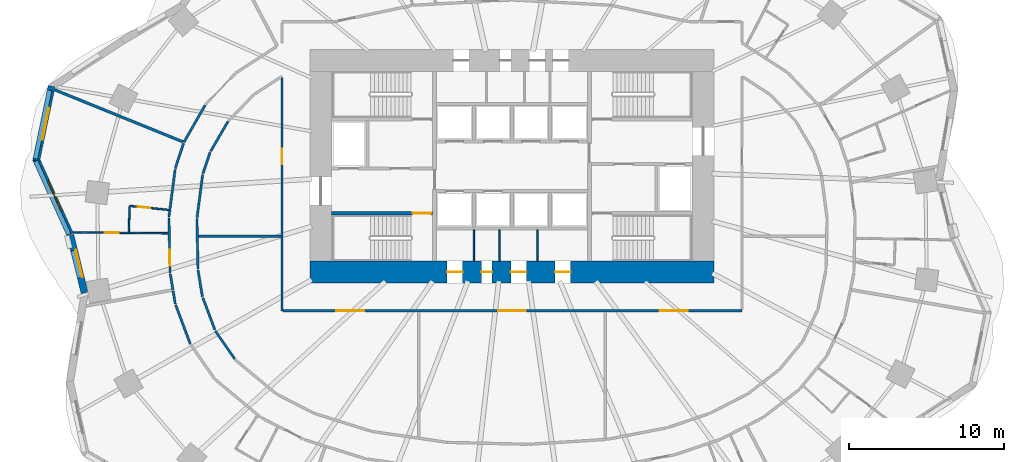
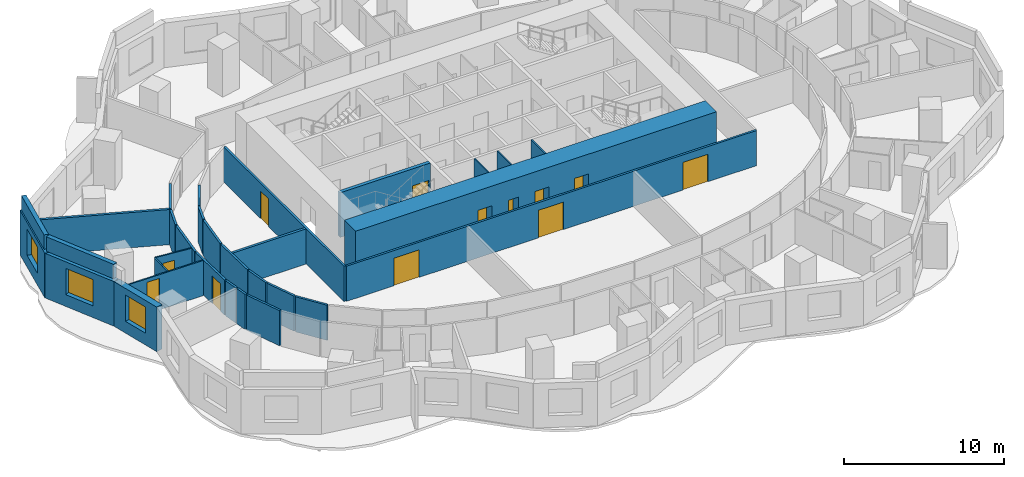
# One storey, part 4 of 11: 31 walls, 12 doors, 3 windows, 15 openings.
"""IFC4 building model written with IfcOpenShell, lengths in metres."""

from ifc_helpers import new_model, si_unit, direction, frame, frame_2d, origin, place, context, subcontext, project, spatial, rectangle, extrude, material, layer, layer_set, type_object, element, fill, save


model = new_model("IFC4")

# Units and contexts
model_context = context("Model", 3, precision=1e-05, world=origin(), true_north=direction((0.0, 1.0)))
body_context = subcontext(model_context, "Body", "Model", "MODEL_VIEW")
ifc_project = project(units=[si_unit("LENGTHUNIT", "METRE"), si_unit("AREAUNIT", "SQUARE_METRE"), si_unit("VOLUMEUNIT", "CUBIC_METRE"), si_unit("PLANEANGLEUNIT", "RADIAN"), si_unit("MASSUNIT", "GRAM", prefix="KILO")], contexts=[model_context])

# Site, building, storey
site_placement = place(None, origin())
site = spatial("IfcSite", under=ifc_project, at=site_placement, CompositionType="ELEMENT")
building_placement = place(site_placement, origin())
building = spatial("IfcBuilding", under=site, at=building_placement, Name="Rubra Terraces Tower", CompositionType="ELEMENT")
storey_placement = place(building_placement, frame((0.0, 0.0, 66.300048828125)))
storey = spatial("IfcBuildingStorey", under=building, at=storey_placement, Name="L14", CompositionType="ELEMENT", Elevation=66.300048828125)

# Walls
ifc_material_1 = material(Name="Twin plasterboard on staggered steel stud, acoustic mineral wool", Category="steel")
ifc_layer_1 = layer(ifc_material_1, 0.175048828125)
ifc_layer_set_1 = layer_set([ifc_layer_1], Name="Twin plasterboard on staggered steel stud, acoustic mineral wool")
wall_type_1 = type_object("IfcWallType", Name="ACOUSTIC PARTY WALL 175", PredefinedType="PARTITIONING", material=ifc_layer_set_1)
wall_1_placement = place(storey_placement, frame((-29.43359375, 9.420654296875, 0.0), z_axis=(0.0, 0.0, 1.0), x_axis=(0.92666211568, -0.375895362252, 0.0)))
element("IfcWall", 1, at=wall_1_placement, inside=storey, type_object=wall_type_1, Name="PARTITION", PredefinedType="PARTITIONING", context=body_context, shape_type="SweptSolid", body=[
    extrude(rectangle(XDim=8.90576171875, YDim=0.175048828125, at=frame_2d((4.452880859375, 0.0))), origin(), (0.0, 0.0, 1.0), 2.679931640625),
])
wall_2_placement = place(storey_placement, frame((-20.176025390625, 0.0, 0.0), z_axis=(0.0, 0.0, 1.0), x_axis=(1.0, 0.0, 0.0)))
element("IfcWall", 2, at=wall_2_placement, inside=storey, type_object=wall_type_1, Name="PARTITION", PredefinedType="PARTITIONING", context=body_context, shape_type="SweptSolid", body=[
    extrude(rectangle(XDim=5.301025390625, YDim=0.175048828125, at=frame_2d((2.650390625, 0.0))), origin(), (0.0, 0.0, 1.0), 2.679931640625),
])

# Wall, opening, window
ifc_material_2 = material(Name="Brick masonry red-brown", Category="masonry")
ifc_layer_2 = layer(ifc_material_2, 0.449951171875)
ifc_layer_set_2 = layer_set([ifc_layer_2], Name="Brick masonry red-brown")
wall_type_2 = type_object("IfcWallType", Name="Brick facade wall 450", PredefinedType="SOLIDWALL", material=ifc_layer_set_2)
wall_3_placement = place(storey_placement, frame((-29.62060546875, 9.650146484375, 0.0), z_axis=(0.0, 0.0, 1.0), x_axis=(-0.203505836306, -0.979073732969, 0.0)))
wall_3 = element("IfcWall", 3, at=wall_3_placement, inside=storey, type_object=wall_type_2, Name="Facade wall L14 bay 19", PredefinedType="SOLIDWALL", context=body_context, shape_type="SweptSolid", body=[
    extrude(rectangle(XDim=4.913818359375, YDim=0.449951171875, at=frame_2d((2.45703125, 0.0))), origin(), (0.0, 0.0, 1.0), 3.39990234375),
])
opening_1_placement = place(wall_3_placement, frame((1.406982421875, 0.0, 0.89990234375)))
opening_1 = element("IfcOpeningElement", 4, at=opening_1_placement, cuts=wall_3, Name="Opening W1", PredefinedType="OPENING", context=body_context, shape_type="SweptSolid", body=[
    extrude(rectangle(XDim=2.10009765625, YDim=2.0, at=frame_2d((1.050048828125, 1.0))), frame((0.0, 0.23486328125, 0.0), z_axis=(0.0, -1.0, 0.0), x_axis=(1.0, 0.0, 0.0)), (0.0, 0.0, 1.0), 0.469970703125),
])
ifc_material_3 = material(Name="Clear glass in aluminium frame", Category="aluminium")
window_type_1 = type_object("IfcWindowType", Name="Fixed deep-set window 2100 x 2000", PartitioningType="SINGLE_PANEL", PredefinedType="WINDOW", material=ifc_material_3)
window_1_placement = place(opening_1_placement, origin())
window_1 = element("IfcWindow", 5, at=window_1_placement, inside=storey, type_object=window_type_1, Name="Window L14 bay 19", OverallHeight=2.0, OverallWidth=2.10009765625, PartitioningType="SINGLE_PANEL", PredefinedType="WINDOW", context=body_context, shape_type="SweptSolid", body=[
    extrude(rectangle(XDim=2.10009765625, YDim=2.0, at=frame_2d((1.050048828125, 1.0))), frame((0.0, 0.135009765625, 0.0), z_axis=(0.0, -1.0, 0.0), x_axis=(1.0, 0.0, 0.0)), (0.0, 0.0, 1.0), 0.06005859375),
])
fill(opening_1, window_1)

wall_4_placement = place(storey_placement, frame((-30.633544921875, 4.972412109375, 0.0), z_axis=(0.0, 0.0, 1.0), x_axis=(0.412494644758, -0.910960025493, 0.0)))
wall_4 = element("IfcWall", 6, at=wall_4_placement, inside=storey, type_object=wall_type_2, Name="Facade wall L14 bay 20", PredefinedType="SOLIDWALL", context=body_context, shape_type="SweptSolid", body=[
    extrude(rectangle(XDim=5.330322265625, YDim=0.449951171875, at=frame_2d((2.6650390625, 0.0))), origin(), (0.0, 0.0, 1.0), 3.39990234375),
])
opening_2_placement = place(wall_4_placement, frame((1.615234375, 0.0, 0.89990234375)))
opening_2 = element("IfcOpeningElement", 7, at=opening_2_placement, cuts=wall_4, Name="Opening W1", PredefinedType="OPENING", context=body_context, shape_type="SweptSolid", body=[
    extrude(rectangle(XDim=2.10009765625, YDim=2.0, at=frame_2d((1.050048828125, 1.0))), frame((0.0, 0.23486328125, 0.0), z_axis=(0.0, -1.0, 0.0), x_axis=(1.0, 0.0, 0.0)), (0.0, 0.0, 1.0), 0.469970703125),
])
window_2_placement = place(opening_2_placement, origin())
window_2 = element("IfcWindow", 8, at=window_2_placement, inside=storey, type_object=window_type_1, Name="Window L14 bay 20", OverallHeight=2.0, OverallWidth=2.10009765625, PartitioningType="SINGLE_PANEL", PredefinedType="WINDOW", context=body_context, shape_type="SweptSolid", body=[
    extrude(rectangle(XDim=2.10009765625, YDim=2.0, at=frame_2d((1.050048828125, 1.0))), frame((0.0, 0.135009765625, 0.0), z_axis=(0.0, -1.0, 0.0), x_axis=(1.0, 0.0, 0.0)), (0.0, 0.0, 1.0), 0.06005859375),
])
fill(opening_2, window_2)

wall_5_placement = place(storey_placement, frame((-28.421875, 0.074951171875, 0.0), z_axis=(0.0, 0.0, 1.0), x_axis=(0.239809222807, -0.970820033094, 0.0)))
wall_5 = element("IfcWall", 9, at=wall_5_placement, inside=storey, type_object=wall_type_2, Name="Facade wall L14 bay 21", PredefinedType="SOLIDWALL", context=body_context, shape_type="SweptSolid", body=[
    extrude(rectangle(XDim=3.8359375, YDim=0.449951171875, at=frame_2d((1.91796875, 0.0))), origin(), (0.0, 0.0, 1.0), 3.39990234375),
])
opening_3_placement = place(wall_5_placement, frame((1.01806640625, 0.0, 0.89990234375)))
opening_3 = element("IfcOpeningElement", 10, at=opening_3_placement, cuts=wall_5, Name="Opening W6", PredefinedType="OPENING", context=body_context, shape_type="SweptSolid", body=[
    extrude(rectangle(XDim=1.800048828125, YDim=2.0, at=frame_2d((0.89990234375, 1.0))), frame((0.0, 0.23486328125, 0.0), z_axis=(0.0, -1.0, 0.0), x_axis=(1.0, 0.0, 0.0)), (0.0, 0.0, 1.0), 0.469970703125),
])
window_type_2 = type_object("IfcWindowType", Name="Fixed deep-set window at wind fin 1800 x 2000", PartitioningType="SINGLE_PANEL", PredefinedType="WINDOW", material=ifc_material_3)
window_3_placement = place(opening_3_placement, origin())
window_3 = element("IfcWindow", 11, at=window_3_placement, inside=storey, type_object=window_type_2, Name="Window L14 bay 21", OverallHeight=2.0, OverallWidth=1.800048828125, PartitioningType="SINGLE_PANEL", PredefinedType="WINDOW", context=body_context, shape_type="SweptSolid", body=[
    extrude(rectangle(XDim=1.800048828125, YDim=2.0, at=frame_2d((0.89990234375, 1.0))), frame((0.0, 0.135009765625, 0.0), z_axis=(0.0, -1.0, 0.0), x_axis=(1.0, 0.0, 0.0)), (0.0, 0.0, 1.0), 0.06005859375),
])
fill(opening_3, window_3)

# Walls
ifc_layer_3 = layer(ifc_material_2, 0.300048828125)
ifc_layer_set_3 = layer_set([ifc_layer_3], Name="Brick masonry red-brown")
wall_type_3 = type_object("IfcWallType", Name="Brick parapet 300", PredefinedType="PARAPET", material=ifc_layer_set_3)
wall_6_placement = place(storey_placement, frame((-29.75146484375, 9.389892578125, 3.599853515625), z_axis=(0.0, 0.0, 1.0), x_axis=(-0.203510555438, -0.97907275206, 0.0)))
element("IfcWall", 12, at=wall_6_placement, inside=storey, type_object=wall_type_3, Name="Parapet L14 bay 19", PredefinedType="PARAPET", context=body_context, shape_type="SweptSolid", body=[
    extrude(rectangle(XDim=4.504638671875, YDim=0.300048828125, at=frame_2d((2.25244140625, 0.0))), origin(), (0.0, 0.0, 1.0), 1.10009765625),
])
wall_7_placement = place(storey_placement, frame((-30.651611328125, 4.830322265625, 3.599853515625), z_axis=(0.0, 0.0, 1.0), x_axis=(0.412522333553, -0.910947487136, 0.0)))
element("IfcWall", 13, at=wall_7_placement, inside=storey, type_object=wall_type_3, Name="Parapet L14 bay 20", PredefinedType="PARAPET", context=body_context, shape_type="SweptSolid", body=[
    extrude(rectangle(XDim=5.172607421875, YDim=0.300048828125, at=frame_2d((2.58642578125, 0.0))), origin(), (0.0, 0.0, 1.0), 1.10009765625),
])

# Wall, openings, doors
ifc_material_4 = material(Name="Concrete C70", Category="concrete")
ifc_layer_4 = layer(ifc_material_4, 1.39990234375)
ifc_layer_set_4 = layer_set([ifc_layer_4], Name="Concrete C70")
wall_type_4 = type_object("IfcWallType", Name="CORE WALL 1400 C70", PredefinedType="SHEAR", material=ifc_layer_set_4)
wall_8_placement = place(storey_placement, frame((-13.0, -2.300048828125, 0.0), z_axis=(0.0, 0.0, 1.0), x_axis=(1.0, 0.0, 0.0)))
wall_8 = element("IfcWall", 14, at=wall_8_placement, inside=storey, type_object=wall_type_4, Name="CORE WALL S L14", PredefinedType="SHEAR", context=body_context, shape_type="SweptSolid", body=[
    extrude(rectangle(XDim=26.0, YDim=1.39990234375, at=frame_2d((13.0, 0.0))), origin(), (0.0, 0.0, 1.0), 3.599853515625),
])
opening_4_placement = place(wall_8_placement, frame((8.824951171875, 0.0, 0.0)))
opening_4 = element("IfcOpeningElement", 15, at=opening_4_placement, cuts=wall_8, Name="Opening L14.C19", PredefinedType="OPENING", context=body_context, shape_type="SweptSolid", body=[
    extrude(rectangle(XDim=1.0, YDim=2.10009765625, at=frame_2d((0.5, 1.050048828125))), frame((0.0, 0.7099609375, 0.0), z_axis=(0.0, -1.0, 0.0), x_axis=(1.0, 0.0, 0.0)), (0.0, 0.0, 1.0), 1.419921875),
])
opening_5_placement = place(wall_8_placement, frame((11.02490234375, 0.0, 0.0)))
opening_5 = element("IfcOpeningElement", 16, at=opening_5_placement, cuts=wall_8, Name="Opening L14.C20", PredefinedType="OPENING", context=body_context, shape_type="SweptSolid", body=[
    extrude(rectangle(XDim=0.699951171875, YDim=2.10009765625, at=frame_2d((0.35009765625, 1.050048828125))), frame((0.0, 0.7099609375, 0.0), z_axis=(0.0, -1.0, 0.0), x_axis=(1.0, 0.0, 0.0)), (0.0, 0.0, 1.0), 1.419921875),
])
opening_6_placement = place(wall_8_placement, frame((12.925048828125, 0.0, 0.0)))
opening_6 = element("IfcOpeningElement", 17, at=opening_6_placement, cuts=wall_8, Name="Opening L14.C21", PredefinedType="OPENING", context=body_context, shape_type="SweptSolid", body=[
    extrude(rectangle(XDim=1.0, YDim=2.10009765625, at=frame_2d((0.5, 1.050048828125))), frame((0.0, 0.7099609375, 0.0), z_axis=(0.0, -1.0, 0.0), x_axis=(1.0, 0.0, 0.0)), (0.0, 0.0, 1.0), 1.419921875),
])
opening_7_placement = place(wall_8_placement, frame((15.77490234375, 0.0, 0.0)))
opening_7 = element("IfcOpeningElement", 18, at=opening_7_placement, cuts=wall_8, Name="Opening L14.C22", PredefinedType="OPENING", context=body_context, shape_type="SweptSolid", body=[
    extrude(rectangle(XDim=1.0, YDim=2.10009765625, at=frame_2d((0.5, 1.050048828125))), frame((0.0, 0.7099609375, 0.0), z_axis=(0.0, -1.0, 0.0), x_axis=(1.0, 0.0, 0.0)), (0.0, 0.0, 1.0), 1.419921875),
])
ifc_material_5 = material(Name="Painted steel", Category="steel")
door_type_1 = type_object("IfcDoorType", Name="Fire door 1000x2100 single", OperationType="NOTDEFINED", PredefinedType="DOOR", material=ifc_material_5)
door_1_placement = place(opening_4_placement, origin())
door_1 = element("IfcDoor", 19, at=door_1_placement, inside=storey, type_object=door_type_1, Name="Ice and vending room door", OperationType="SINGLE_SWING_LEFT", OverallHeight=2.10009765625, OverallWidth=1.0, PredefinedType="DOOR", context=body_context, shape_type="SweptSolid", body=[
    extrude(rectangle(XDim=1.0, YDim=2.10009765625, at=frame_2d((0.5, 1.050048828125))), frame((0.0, 0.02490234375, 0.0), z_axis=(0.0, -1.0, 0.0), x_axis=(1.0, 0.0, 0.0)), (0.0, 0.0, 1.0), 0.050048828125),
])
fill(opening_4, door_1)
door_2_placement = place(opening_6_placement, origin())
door_2 = element("IfcDoor", 20, at=door_2_placement, inside=storey, type_object=door_type_1, Name="Linen store door", OperationType="SINGLE_SWING_LEFT", OverallHeight=2.10009765625, OverallWidth=1.0, PredefinedType="DOOR", context=body_context, shape_type="SweptSolid", body=[
    extrude(rectangle(XDim=1.0, YDim=2.10009765625, at=frame_2d((0.5, 1.050048828125))), frame((0.0, 0.02490234375, 0.0), z_axis=(0.0, -1.0, 0.0), x_axis=(1.0, 0.0, 0.0)), (0.0, 0.0, 1.0), 0.050048828125),
])
fill(opening_6, door_2)
door_3_placement = place(opening_7_placement, origin())
door_3 = element("IfcDoor", 21, at=door_3_placement, inside=storey, type_object=door_type_1, Name="Housekeeping store door", OperationType="SINGLE_SWING_RIGHT", OverallHeight=2.10009765625, OverallWidth=1.0, PredefinedType="DOOR", context=body_context, shape_type="SweptSolid", body=[
    extrude(rectangle(XDim=1.0, YDim=2.10009765625, at=frame_2d((0.5, 1.050048828125))), frame((0.0, 0.02490234375, 0.0), z_axis=(0.0, -1.0, 0.0), x_axis=(1.0, 0.0, 0.0)), (0.0, 0.0, 1.0), 0.050048828125),
])
fill(opening_7, door_3)
door_type_2 = type_object("IfcDoorType", Name="Riser access door 700x2100 single", OperationType="NOTDEFINED", PredefinedType="DOOR", material=ifc_material_5)
door_4_placement = place(opening_5_placement, origin())
door_4 = element("IfcDoor", 22, at=door_4_placement, inside=storey, type_object=door_type_2, Name="Electrical riser room door", OperationType="SINGLE_SWING_RIGHT", OverallHeight=2.10009765625, OverallWidth=0.699951171875, PredefinedType="DOOR", context=body_context, shape_type="SweptSolid", body=[
    extrude(rectangle(XDim=0.699951171875, YDim=2.10009765625, at=frame_2d((0.35009765625, 1.050048828125))), frame((0.0, 0.02490234375, 0.0), z_axis=(0.0, -1.0, 0.0), x_axis=(1.0, 0.0, 0.0)), (0.0, 0.0, 1.0), 0.050048828125),
])
fill(opening_5, door_4)

# Walls
ifc_material_6 = material(Name="Plasterboard on steel stud, mineral wool infill", Category="steel")
ifc_layer_5 = layer(ifc_material_6, 0.14990234375)
ifc_layer_set_5 = layer_set([ifc_layer_5], Name="Plasterboard on steel stud, mineral wool infill")
wall_type_5 = type_object("IfcWallType", Name="CORRIDOR PARTITION 150", PredefinedType="PARTITIONING", material=ifc_layer_set_5)
wall_9_placement = place(storey_placement, frame((-19.752197265625, 8.4228515625, 0.0), z_axis=(0.0, 0.0, 1.0), x_axis=(-0.496186930697, -0.86821571617, 0.0)))
element("IfcWall", 23, at=wall_9_placement, inside=storey, type_object=wall_type_5, Name="PARTITION", PredefinedType="PARTITIONING", context=body_context, shape_type="SweptSolid", body=[
    extrude(rectangle(XDim=2.7392578125, YDim=0.14990234375, at=frame_2d((1.36962890625, 0.0))), origin(), (0.0, 0.0, 1.0), 2.679931640625),
])
wall_10_placement = place(storey_placement, frame((-21.135009765625, 5.973388671875, 0.0), z_axis=(0.0, 0.0, 1.0), x_axis=(-0.313641633586, -0.949541429155, 0.0)))
element("IfcWall", 24, at=wall_10_placement, inside=storey, type_object=wall_type_5, Name="PARTITION", PredefinedType="PARTITIONING", context=body_context, shape_type="SweptSolid", body=[
    extrude(rectangle(XDim=1.699951171875, YDim=0.14990234375, at=frame_2d((0.85009765625, 0.0))), origin(), (0.0, 0.0, 1.0), 2.679931640625),
])
wall_11_placement = place(storey_placement, frame((-21.677978515625, 4.28466796875, 0.0), z_axis=(0.0, 0.0, 1.0), x_axis=(-0.129922755307, -0.991524118543, 0.0)))
element("IfcWall", 25, at=wall_11_placement, inside=storey, type_object=wall_type_5, Name="PARTITION", PredefinedType="PARTITIONING", context=body_context, shape_type="SweptSolid", body=[
    extrude(rectangle(XDim=3.076171875, YDim=0.14990234375, at=frame_2d((1.5380859375, 0.0))), origin(), (0.0, 0.0, 1.0), 2.679931640625),
])

# Wall, opening, door
wall_12_placement = place(storey_placement, frame((-22.075927734375, 1.15966796875, 0.0), z_axis=(0.0, 0.0, 1.0), x_axis=(0.021172866829, -0.999775829729, 0.0)))
wall_12 = element("IfcWall", 26, at=wall_12_placement, inside=storey, type_object=wall_type_5, Name="PARTITION", PredefinedType="PARTITIONING", context=body_context, shape_type="SweptSolid", body=[
    extrude(rectangle(XDim=3.516845703125, YDim=0.14990234375, at=frame_2d((1.75830078125, 0.0))), origin(), (0.0, 0.0, 1.0), 2.679931640625),
])
opening_8_placement = place(wall_12_placement, frame((2.050048828125, 0.0, 0.0)))
opening_8 = element("IfcOpeningElement", 27, at=opening_8_placement, cuts=wall_12, Name="Opening 14-113", PredefinedType="OPENING", context=body_context, shape_type="SweptSolid", body=[
    extrude(rectangle(XDim=1.0, YDim=2.10009765625, at=frame_2d((0.5, 1.050048828125))), frame((0.0, 0.0849609375, 0.0), z_axis=(0.0, -1.0, 0.0), x_axis=(1.0, 0.0, 0.0)), (0.0, 0.0, 1.0), 0.169921875),
])
ifc_material_7 = material(Name="Painted timber door leaf", Category="wood")
door_type_3 = type_object("IfcDoorType", Name="ROOM DOOR 1000 X 2100", OperationType="SINGLE_SWING_LEFT", PredefinedType="DOOR", material=ifc_material_7)
door_5_placement = place(opening_8_placement, origin())
door_5 = element("IfcDoor", 28, at=door_5_placement, inside=storey, type_object=door_type_3, Name="DOOR 14-113", OperationType="SINGLE_SWING_RIGHT", OverallHeight=2.10009765625, OverallWidth=1.0, PredefinedType="DOOR", context=body_context, shape_type="SweptSolid", body=[
    extrude(rectangle(XDim=1.0, YDim=2.10009765625, at=frame_2d((0.5, 1.050048828125))), frame((0.0, 0.02490234375, 0.0), z_axis=(0.0, -1.0, 0.0), x_axis=(1.0, 0.0, 0.0)), (0.0, 0.0, 1.0), 0.050048828125),
])
fill(opening_8, door_5)

# Walls
wall_13_placement = place(storey_placement, frame((-21.9892578125, -2.430419921875, 0.0), z_axis=(0.0, 0.0, 1.0), x_axis=(0.164170791844, -0.986431929281, 0.0)))
element("IfcWall", 29, at=wall_13_placement, inside=storey, type_object=wall_type_5, Name="PARTITION", PredefinedType="PARTITIONING", context=body_context, shape_type="SweptSolid", body=[
    extrude(rectangle(XDim=1.041015625, YDim=0.14990234375, at=frame_2d((0.5205078125, 0.0))), origin(), (0.0, 0.0, 1.0), 2.679931640625),
])
wall_14_placement = place(storey_placement, frame((-21.805908203125, -3.53125, 0.0), z_axis=(0.0, 0.0, 1.0), x_axis=(0.164068764938, -0.986448904086, 0.0)))
element("IfcWall", 30, at=wall_14_placement, inside=storey, type_object=wall_type_5, Name="PARTITION", PredefinedType="PARTITIONING", context=body_context, shape_type="SweptSolid", body=[
    extrude(rectangle(XDim=0.83935546875, YDim=0.14990234375, at=frame_2d((0.419677734375, 0.0))), origin(), (0.0, 0.0, 1.0), 2.679931640625),
])
wall_15_placement = place(storey_placement, frame((-21.641845703125, -4.42919921875, 0.0), z_axis=(0.0, 0.0, 1.0), x_axis=(0.350963719781, -0.936389057709, 0.0)))
element("IfcWall", 31, at=wall_15_placement, inside=storey, type_object=wall_type_5, Name="PARTITION", PredefinedType="PARTITIONING", context=body_context, shape_type="SweptSolid", body=[
    extrude(rectangle(XDim=2.68017578125, YDim=0.14990234375, at=frame_2d((1.340087890625, 0.0))), origin(), (0.0, 0.0, 1.0), 2.679931640625),
])
wall_16_placement = place(storey_placement, frame((-19.92138671875, -3.89111328125, 0.0), z_axis=(0.0, 0.0, 1.0), x_axis=(-0.164100753818, 0.986443583078, 0.0)))
element("IfcWall", 32, at=wall_16_placement, inside=storey, type_object=wall_type_5, Name="PARTITION", PredefinedType="PARTITIONING", context=body_context, shape_type="SweptSolid", body=[
    extrude(rectangle(XDim=1.725830078125, YDim=0.14990234375, at=frame_2d((0.86279296875, 0.0))), origin(), (0.0, 0.0, 1.0), 2.679931640625),
])
wall_17_placement = place(storey_placement, frame((-20.206298828125, -2.11376953125, 0.0), z_axis=(0.0, 0.0, 1.0), x_axis=(-0.021179142616, 0.999775696803, 0.0)))
element("IfcWall", 33, at=wall_17_placement, inside=storey, type_object=wall_type_5, Name="PARTITION", PredefinedType="PARTITIONING", context=body_context, shape_type="SweptSolid", body=[
    extrude(rectangle(XDim=3.250732421875, YDim=0.14990234375, at=frame_2d((1.62548828125, 0.0))), origin(), (0.0, 0.0, 1.0), 2.679931640625),
])
wall_18_placement = place(storey_placement, frame((-20.265380859375, 1.210693359375, 0.0), z_axis=(0.0, 0.0, 1.0), x_axis=(0.129957307165, 0.991519590484, 0.0)))
element("IfcWall", 34, at=wall_18_placement, inside=storey, type_object=wall_type_5, Name="PARTITION", PredefinedType="PARTITIONING", context=body_context, shape_type="SweptSolid", body=[
    extrude(rectangle(XDim=2.76904296875, YDim=0.14990234375, at=frame_2d((1.384521484375, 0.0))), origin(), (0.0, 0.0, 1.0), 2.679931640625),
])
wall_19_placement = place(storey_placement, frame((-19.882080078125, 4.027587890625, 0.0), z_axis=(0.0, 0.0, 1.0), x_axis=(0.313632756375, 0.949544361327, 0.0)))
element("IfcWall", 35, at=wall_19_placement, inside=storey, type_object=wall_type_5, Name="PARTITION", PredefinedType="PARTITIONING", context=body_context, shape_type="SweptSolid", body=[
    extrude(rectangle(XDim=1.440185546875, YDim=0.14990234375, at=frame_2d((0.72021484375, 0.0))), origin(), (0.0, 0.0, 1.0), 2.679931640625),
])
wall_20_placement = place(storey_placement, frame((-19.392578125, 5.459716796875, 0.0), z_axis=(0.0, 0.0, 1.0), x_axis=(0.502296094562, 0.864695688314, 0.0)))
element("IfcWall", 36, at=wall_20_placement, inside=storey, type_object=wall_type_5, Name="PARTITION", PredefinedType="PARTITIONING", context=body_context, shape_type="SweptSolid", body=[
    extrude(rectangle(XDim=2.2373046875, YDim=0.14990234375, at=frame_2d((1.11865234375, 0.0))), origin(), (0.0, 0.0, 1.0), 2.679931640625),
])

# Wall, opening, door
wall_21_placement = place(storey_placement, frame((-14.800048828125, 10.2080078125, 0.0), z_axis=(0.0, 0.0, 1.0), x_axis=(0.0, -1.0, 0.0)))
wall_21 = element("IfcWall", 37, at=wall_21_placement, inside=storey, type_object=wall_type_5, Name="PARTITION", PredefinedType="PARTITIONING", context=body_context, shape_type="SweptSolid", body=[
    extrude(rectangle(XDim=15.008056640625, YDim=0.14990234375, at=frame_2d((7.50390625, 0.0))), origin(), (0.0, 0.0, 1.0), 2.679931640625),
])
opening_9_placement = place(wall_21_placement, frame((4.56689453125, 0.0, 0.0)))
opening_9 = element("IfcOpeningElement", 38, at=opening_9_placement, cuts=wall_21, Name="Opening 14-134", PredefinedType="OPENING", context=body_context, shape_type="SweptSolid", body=[
    extrude(rectangle(XDim=1.0, YDim=2.10009765625, at=frame_2d((0.5, 1.050048828125))), frame((0.0, 0.0849609375, 0.0), z_axis=(0.0, -1.0, 0.0), x_axis=(1.0, 0.0, 0.0)), (0.0, 0.0, 1.0), 0.169921875),
])
door_6_placement = place(opening_9_placement, origin())
door_6 = element("IfcDoor", 39, at=door_6_placement, inside=storey, type_object=door_type_3, Name="DOOR 14-134", OperationType="SINGLE_SWING_RIGHT", OverallHeight=2.10009765625, OverallWidth=1.0, PredefinedType="DOOR", context=body_context, shape_type="SweptSolid", body=[
    extrude(rectangle(XDim=1.0, YDim=2.10009765625, at=frame_2d((0.5, 1.050048828125))), frame((0.0, 0.02490234375, 0.0), z_axis=(0.0, -1.0, 0.0), x_axis=(1.0, 0.0, 0.0)), (0.0, 0.0, 1.0), 0.050048828125),
])
fill(opening_9, door_6)

# Wall, openings, doors
wall_22_placement = place(storey_placement, frame((-14.72509765625, -4.800048828125, 0.0), z_axis=(0.0, 0.0, 1.0), x_axis=(1.0, 0.0, 0.0)))
wall_22 = element("IfcWall", 40, at=wall_22_placement, inside=storey, type_object=wall_type_5, Name="PARTITION", PredefinedType="PARTITIONING", context=body_context, shape_type="SweptSolid", body=[
    extrude(rectangle(XDim=29.525146484375, YDim=0.14990234375, at=frame_2d((14.7626953125, 0.0))), origin(), (0.0, 0.0, 1.0), 2.679931640625),
])
opening_10_placement = place(wall_22_placement, frame((3.425048828125, 0.0, 0.0)))
opening_10 = element("IfcOpeningElement", 41, at=opening_10_placement, cuts=wall_22, Name="Opening 14-135", PredefinedType="OPENING", context=body_context, shape_type="SweptSolid", body=[
    extrude(rectangle(XDim=1.800048828125, YDim=2.10009765625, at=frame_2d((0.89990234375, 1.050048828125))), frame((0.0, 0.0849609375, 0.0), z_axis=(0.0, -1.0, 0.0), x_axis=(1.0, 0.0, 0.0)), (0.0, 0.0, 1.0), 0.169921875),
])
opening_11_placement = place(wall_22_placement, frame((13.824951171875, 0.0, 0.0)))
opening_11 = element("IfcOpeningElement", 42, at=opening_11_placement, cuts=wall_22, Name="Opening 14-136", PredefinedType="OPENING", context=body_context, shape_type="SweptSolid", body=[
    extrude(rectangle(XDim=1.800048828125, YDim=2.10009765625, at=frame_2d((0.89990234375, 1.050048828125))), frame((0.0, 0.0849609375, 0.0), z_axis=(0.0, -1.0, 0.0), x_axis=(1.0, 0.0, 0.0)), (0.0, 0.0, 1.0), 0.169921875),
])
opening_12_placement = place(wall_22_placement, frame((24.22509765625, 0.0, 0.0)))
opening_12 = element("IfcOpeningElement", 43, at=opening_12_placement, cuts=wall_22, Name="Opening 14-137", PredefinedType="OPENING", context=body_context, shape_type="SweptSolid", body=[
    extrude(rectangle(XDim=1.800048828125, YDim=2.10009765625, at=frame_2d((0.89990234375, 1.050048828125))), frame((0.0, 0.0849609375, 0.0), z_axis=(0.0, -1.0, 0.0), x_axis=(1.0, 0.0, 0.0)), (0.0, 0.0, 1.0), 0.169921875),
])
ifc_material_8 = material(Name="Painted timber door leaf, double", Category="wood")
door_type_4 = type_object("IfcDoorType", Name="ROOM DOUBLE DOOR 1800 X 2100", OperationType="DOUBLE_DOOR_SINGLE_SWING", PredefinedType="DOOR", material=ifc_material_8)
door_7_placement = place(opening_10_placement, origin())
door_7 = element("IfcDoor", 44, at=door_7_placement, inside=storey, type_object=door_type_4, Name="DOOR 14-135", OperationType="DOUBLE_DOOR_SINGLE_SWING", OverallHeight=2.10009765625, OverallWidth=1.800048828125, PredefinedType="DOOR", context=body_context, shape_type="SweptSolid", body=[
    extrude(rectangle(XDim=1.800048828125, YDim=2.10009765625, at=frame_2d((0.89990234375, 1.050048828125))), frame((0.0, 0.02490234375, 0.0), z_axis=(0.0, -1.0, 0.0), x_axis=(1.0, 0.0, 0.0)), (0.0, 0.0, 1.0), 0.050048828125),
])
fill(opening_10, door_7)
door_8_placement = place(opening_11_placement, origin())
door_8 = element("IfcDoor", 45, at=door_8_placement, inside=storey, type_object=door_type_4, Name="DOOR 14-136", OperationType="DOUBLE_DOOR_SINGLE_SWING", OverallHeight=2.10009765625, OverallWidth=1.800048828125, PredefinedType="DOOR", context=body_context, shape_type="SweptSolid", body=[
    extrude(rectangle(XDim=1.800048828125, YDim=2.10009765625, at=frame_2d((0.89990234375, 1.050048828125))), frame((0.0, 0.02490234375, 0.0), z_axis=(0.0, -1.0, 0.0), x_axis=(1.0, 0.0, 0.0)), (0.0, 0.0, 1.0), 0.050048828125),
])
fill(opening_11, door_8)
door_9_placement = place(opening_12_placement, origin())
door_9 = element("IfcDoor", 46, at=door_9_placement, inside=storey, type_object=door_type_4, Name="DOOR 14-137", OperationType="DOUBLE_DOOR_SINGLE_SWING", OverallHeight=2.10009765625, OverallWidth=1.800048828125, PredefinedType="DOOR", context=body_context, shape_type="SweptSolid", body=[
    extrude(rectangle(XDim=1.800048828125, YDim=2.10009765625, at=frame_2d((0.89990234375, 1.050048828125))), frame((0.0, 0.02490234375, 0.0), z_axis=(0.0, -1.0, 0.0), x_axis=(1.0, 0.0, 0.0)), (0.0, 0.0, 1.0), 0.050048828125),
])
fill(opening_12, door_9)

# Walls
wall_23_placement = place(storey_placement, frame((-17.83642578125, -7.903564453125, 0.0), z_axis=(0.0, 0.0, 1.0), x_axis=(-0.571317790711, 0.820728933338, 0.0)))
element("IfcWall", 47, at=wall_23_placement, inside=storey, type_object=wall_type_5, Name="PARTITION", PredefinedType="PARTITIONING", context=body_context, shape_type="SweptSolid", body=[
    extrude(rectangle(XDim=2.202392578125, YDim=0.14990234375, at=frame_2d((1.10107421875, 0.0))), origin(), (0.0, 0.0, 1.0), 2.679931640625),
])
wall_24_placement = place(storey_placement, frame((-19.12109375, -6.025634765625, 0.0), z_axis=(0.0, 0.0, 1.0), x_axis=(-0.351026357955, 0.936365578191, 0.0)))
element("IfcWall", 48, at=wall_24_placement, inside=storey, type_object=wall_type_5, Name="PARTITION", PredefinedType="PARTITIONING", context=body_context, shape_type="SweptSolid", body=[
    extrude(rectangle(XDim=2.204833984375, YDim=0.14990234375, at=frame_2d((1.1025390625, 0.0))), origin(), (0.0, 0.0, 1.0), 2.679931640625),
])

# Wall, opening, door
ifc_material_9 = material(Name="Plasterboard on steel stud", Category="steel")
ifc_layer_6 = layer(ifc_material_9, 0.10009765625)
ifc_layer_set_6 = layer_set([ifc_layer_6], Name="Plasterboard on steel stud")
wall_type_6 = type_object("IfcWallType", Name="ROOM PARTITION 100", PredefinedType="PARTITIONING", material=ifc_layer_set_6)
wall_25_placement = place(storey_placement, frame((-28.245361328125, 0.243408203125, 0.0), z_axis=(0.0, 0.0, 1.0), x_axis=(0.999955988555, -0.00938194823, 0.0)))
wall_25 = element("IfcWall", 49, at=wall_25_placement, inside=storey, type_object=wall_type_6, Name="PARTITION", PredefinedType="PARTITIONING", context=body_context, shape_type="SweptSolid", body=[
    extrude(rectangle(XDim=6.115234375, YDim=0.10009765625, at=frame_2d((3.0576171875, 0.0))), origin(), (0.0, 0.0, 1.0), 2.679931640625),
])
opening_13_placement = place(wall_25_placement, frame((2.0400390625, 0.0, 0.0)))
opening_13 = element("IfcOpeningElement", 50, at=opening_13_placement, cuts=wall_25, Name="Opening 14-112", PredefinedType="OPENING", context=body_context, shape_type="SweptSolid", body=[
    extrude(rectangle(XDim=0.89990234375, YDim=2.39990234375, at=frame_2d((0.449951171875, 1.199951171875))), frame((0.0, 0.06005859375, 0.0), z_axis=(0.0, -1.0, 0.0), x_axis=(1.0, 0.0, 0.0)), (0.0, 0.0, 1.0), 0.1201171875),
])
ifc_material_10 = material(Name="Veneered timber door leaf, fire-rated", Category="wood")
door_type_5 = type_object("IfcDoorType", Name="SUITE ENTRANCE DOOR 900 X 2400", OperationType="SINGLE_SWING_LEFT", PredefinedType="DOOR", material=ifc_material_10)
door_10_placement = place(opening_13_placement, origin())
door_10 = element("IfcDoor", 51, at=door_10_placement, inside=storey, type_object=door_type_5, Name="DOOR 14-112", OperationType="SINGLE_SWING_LEFT", OverallHeight=2.39990234375, OverallWidth=0.89990234375, PredefinedType="DOOR", context=body_context, shape_type="SweptSolid", body=[
    extrude(rectangle(XDim=0.89990234375, YDim=2.39990234375, at=frame_2d((0.449951171875, 1.199951171875))), frame((0.0, 0.02490234375, 0.0), z_axis=(0.0, -1.0, 0.0), x_axis=(1.0, 0.0, 0.0)), (0.0, 0.0, 1.0), 0.050048828125),
])
fill(opening_13, door_10)

wall_26_placement = place(storey_placement, frame((-22.09375, 1.68896484375, 0.0), z_axis=(0.0, 0.0, 1.0), x_axis=(-0.994703390925, 0.102786984014, 0.0)))
wall_26 = element("IfcWall", 52, at=wall_26_placement, inside=storey, type_object=wall_type_6, Name="PARTITION", PredefinedType="PARTITIONING", context=body_context, shape_type="SweptSolid", body=[
    extrude(rectangle(XDim=2.52490234375, YDim=0.10009765625, at=frame_2d((1.262451171875, 0.0))), origin(), (0.0, 0.0, 1.0), 2.679931640625),
])
opening_14_placement = place(wall_26_placement, frame((1.199951171875, 0.0, 0.0)))
opening_14 = element("IfcOpeningElement", 53, at=opening_14_placement, cuts=wall_26, Name="Opening 14-111", PredefinedType="OPENING", context=body_context, shape_type="SweptSolid", body=[
    extrude(rectangle(XDim=0.800048828125, YDim=2.10009765625, at=frame_2d((0.39990234375, 1.050048828125))), frame((0.0, 0.06005859375, 0.0), z_axis=(0.0, -1.0, 0.0), x_axis=(1.0, 0.0, 0.0)), (0.0, 0.0, 1.0), 0.1201171875),
])
door_type_6 = type_object("IfcDoorType", Name="BATHROOM DOOR 800 X 2100", OperationType="SINGLE_SWING_LEFT", PredefinedType="DOOR", material=ifc_material_7)
door_11_placement = place(opening_14_placement, origin())
door_11 = element("IfcDoor", 54, at=door_11_placement, inside=storey, type_object=door_type_6, Name="DOOR 14-111", OperationType="SINGLE_SWING_LEFT", OverallHeight=2.10009765625, OverallWidth=0.800048828125, PredefinedType="DOOR", context=body_context, shape_type="SweptSolid", body=[
    extrude(rectangle(XDim=0.800048828125, YDim=2.10009765625, at=frame_2d((0.39990234375, 1.050048828125))), frame((0.0, 0.02490234375, 0.0), z_axis=(0.0, -1.0, 0.0), x_axis=(1.0, 0.0, 0.0)), (0.0, 0.0, 1.0), 0.050048828125),
])
fill(opening_14, door_11)

# Walls
wall_27_placement = place(storey_placement, frame((-24.606689453125, 1.8984375, 0.0), z_axis=(0.0, 0.0, 1.0), x_axis=(-0.028742589595, -0.999586846424, 0.0)))
element("IfcWall", 55, at=wall_27_placement, inside=storey, type_object=wall_type_6, Name="PARTITION", PredefinedType="PARTITIONING", context=body_context, shape_type="SweptSolid", body=[
    extrude(rectangle(XDim=1.639404296875, YDim=0.10009765625, at=frame_2d((0.81982421875, 0.0))), origin(), (0.0, 0.0, 1.0), 2.679931640625),
])
ifc_material_11 = material(Name="Blockwork", Category="masonry")
ifc_layer_7 = layer(ifc_material_11, 0.10009765625)
ifc_layer_set_7 = layer_set([ifc_layer_7], Name="Blockwork")
wall_type_7 = type_object("IfcWallType", Name="Service partition 100 blockwork", PredefinedType="PARTITIONING", material=ifc_layer_set_7)
for number, where, z_axis, x_axis, name in (
    (56, (-2.449951171875, -1.60009765625, 0.0), (0.0, 0.0, 1.0), (0.0, 1.0, 0.0), "SERVICE ROOM PARTITION L14"),
    (57, (-0.800048828125, -1.60009765625, 0.0), (0.0, 0.0, 1.0), (0.0, 1.0, 0.0), "SERVICE ROOM PARTITION L14"),
    (58, (1.64990234375, -1.60009765625, 0.0), (0.0, 0.0, 1.0), (0.0, 1.0, 0.0), "SERVICE ROOM PARTITION L14"),
):
    element("IfcWall", number, at=place(storey_placement, frame(where, z_axis=z_axis, x_axis=x_axis)), inside=storey, type_object=wall_type_7, Name=name, PredefinedType="PARTITIONING", context=body_context, shape_type="SweptSolid", body=[
        extrude(rectangle(XDim=2.0, YDim=0.10009765625, at=frame_2d((1.0, 0.0))), origin(), (0.0, 0.0, 1.0), 3.39990234375),
    ])

# Wall, opening, door
ifc_material_12 = material(Name="Concrete C40", Category="concrete")
ifc_layer_8 = layer(ifc_material_12, 0.25)
ifc_layer_set_8 = layer_set([ifc_layer_8], Name="Concrete C40")
wall_type_8 = type_object("IfcWallType", Name="Stair enclosure wall 250 concrete", PredefinedType="SOLIDWALL", material=ifc_layer_set_8)
wall_28_placement = place(storey_placement, frame((-11.60009765625, 1.47509765625, 0.0), z_axis=(0.0, 0.0, 1.0), x_axis=(1.0, 0.0, 0.0)))
wall_28 = element("IfcWall", 59, at=wall_28_placement, inside=storey, type_object=wall_type_8, Name="STAIR WALL L14", PredefinedType="SOLIDWALL", context=body_context, shape_type="SweptSolid", body=[
    extrude(rectangle(XDim=6.5, YDim=0.25, at=frame_2d((3.25, 0.0))), origin(), (0.0, 0.0, 1.0), 3.39990234375),
])
opening_15_placement = place(wall_28_placement, frame((5.199951171875, 0.0, 0.0)))
opening_15 = element("IfcOpeningElement", 60, at=opening_15_placement, cuts=wall_28, Name="Opening L14.C07", PredefinedType="OPENING", context=body_context, shape_type="SweptSolid", body=[
    extrude(rectangle(XDim=1.199951171875, YDim=2.10009765625, at=frame_2d((0.60009765625, 1.050048828125))), frame((0.0, 0.135009765625, 0.0), z_axis=(0.0, -1.0, 0.0), x_axis=(1.0, 0.0, 0.0)), (0.0, 0.0, 1.0), 0.27001953125),
])
door_type_7 = type_object("IfcDoorType", Name="Fire door 1200x2100 single", OperationType="NOTDEFINED", PredefinedType="DOOR", material=ifc_material_5)
door_12_placement = place(opening_15_placement, origin())
door_12 = element("IfcDoor", 61, at=door_12_placement, inside=storey, type_object=door_type_7, Name="Stair door S1", OperationType="SINGLE_SWING_LEFT", OverallHeight=2.10009765625, OverallWidth=1.199951171875, PredefinedType="DOOR", context=body_context, shape_type="SweptSolid", body=[
    extrude(rectangle(XDim=1.199951171875, YDim=2.10009765625, at=frame_2d((0.60009765625, 1.050048828125))), frame((0.0, 0.02490234375, 0.0), z_axis=(0.0, -1.0, 0.0), x_axis=(1.0, 0.0, 0.0)), (0.0, 0.0, 1.0), 0.050048828125),
])
fill(opening_15, door_12)

save(model, "model.ifc")
